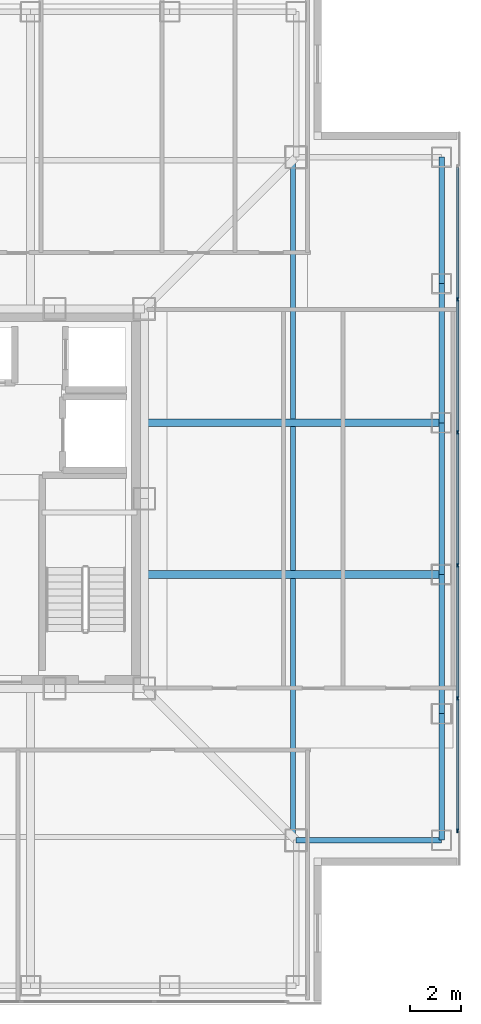
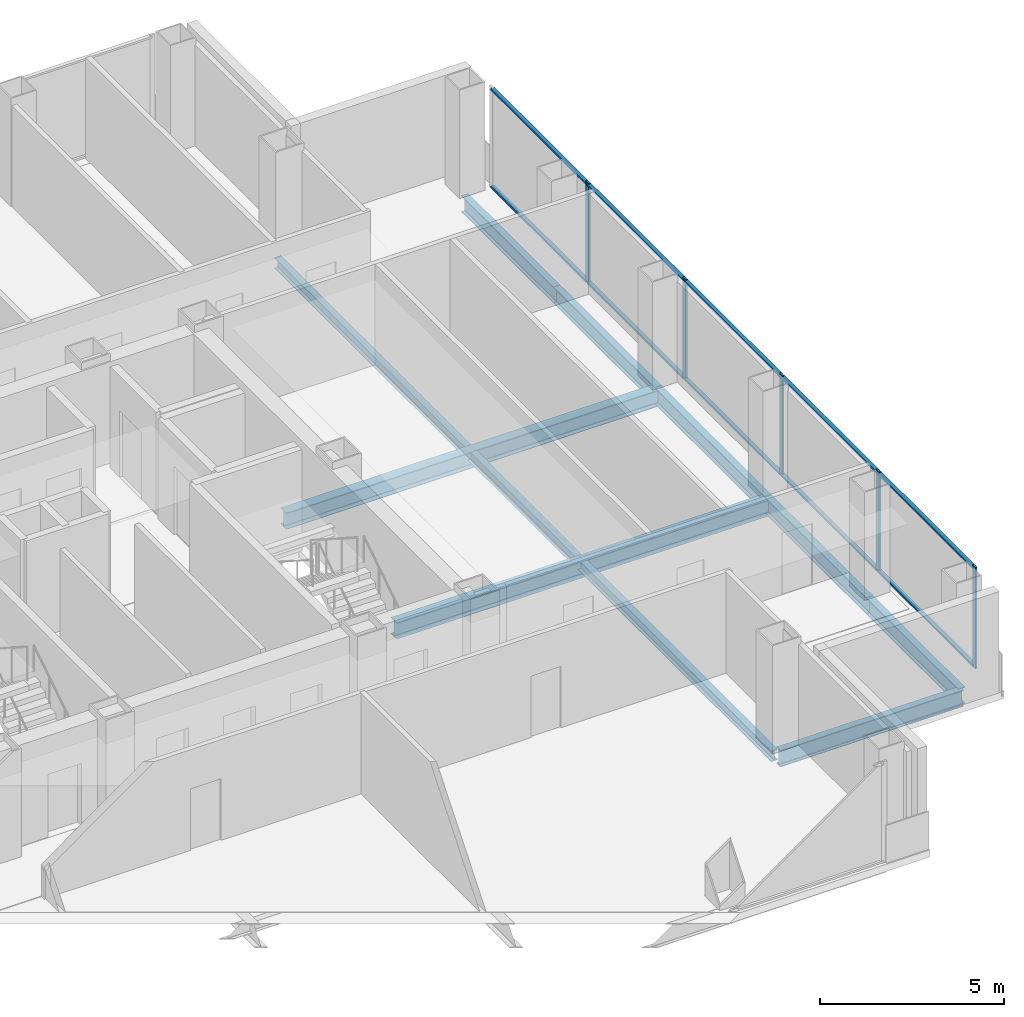
# One storey, part 6 of 18: 15 members, 9 beams, 1 element without a shape of its own.
"""IFC4 building model written with IfcOpenShell, lengths in metres."""

from ifc_helpers import new_model, si_unit, direction, frame, origin, origin_2d, place, context, subcontext, project, spatial, rectangle, i_section, extrude, material, layer, layer_set, material_profile, profile_set, type_object, element, aggregate, save


model = new_model("IFC4")

# Units and contexts
model_context = context("Model", 3, precision=1e-05, world=origin(), true_north=direction((0.0, 1.0)))
body_context = subcontext(model_context, "Body", "Model", "MODEL_VIEW")
ifc_project = project(units=[si_unit("LENGTHUNIT", "METRE"), si_unit("AREAUNIT", "SQUARE_METRE"), si_unit("VOLUMEUNIT", "CUBIC_METRE"), si_unit("PLANEANGLEUNIT", "RADIAN"), si_unit("MASSUNIT", "GRAM", prefix="KILO")], contexts=[model_context])

# Site, building, storey
site_placement = place(None, origin())
site = spatial("IfcSite", under=ifc_project, at=site_placement, CompositionType="ELEMENT")
building_placement = place(site_placement, origin())
building = spatial("IfcBuilding", under=site, at=building_placement, Name="Trevonay Congress Spire", CompositionType="ELEMENT")
storey_placement = place(building_placement, frame((0.0, 0.0, 220.199951171875)))
storey = spatial("IfcBuildingStorey", under=building, at=storey_placement, Name="L57", CompositionType="ELEMENT", Elevation=220.199951171875)

# Beams
ifc_material_1 = material(Name="Steel ASTM A572 Grade 50", Category="steel")
ifc_material_profile_1 = material_profile(ifc_material_1, i_section(OverallWidth=0.31201171875, OverallDepth=0.54296875, WebThickness=0.0126953125, FlangeThickness=0.020263671875, FilletRadius=0.014892578125, at=origin_2d()), Name="W530x150")
ifc_profile_set_1 = profile_set([ifc_material_profile_1], Name="Steel ASTM A572 Grade 50")
beam_type_1 = type_object("IfcBeamType", Name="BM-GIRD-W530X150", PredefinedType="BEAM", material=ifc_profile_set_1)
for number, where, z_axis, x_axis, name in (
    (1, (7.5, -3.0, -0.511474609375), (1.0, 0.0, 0.0), (0.0, 1.0, 0.0), "L57 structural beam BM-L57-GE-M"),
    (2, (7.5, 3.0, -0.511474609375), (1.0, 0.0, 0.0), (0.0, 1.0, 0.0), "L57 structural beam BM-L57-GE-P"),
):
    element("IfcBeam", number, at=place(storey_placement, frame(where, z_axis=z_axis, x_axis=x_axis)), inside=storey, type_object=beam_type_1, Name=name, PredefinedType="BEAM", context=body_context, shape_type="SweptSolid", body=[
        extrude(i_section(OverallWidth=0.31201171875, OverallDepth=0.54296875, WebThickness=0.0126953125, FlangeThickness=0.020263671875, FilletRadius=0.014892578125, at=origin_2d()), origin(), (0.0, 0.0, 1.0), 11.75),
    ])
ifc_material_profile_2 = material_profile(ifc_material_1, i_section(OverallWidth=0.2119140625, OverallDepth=0.5439453125, WebThickness=0.01318359375, FlangeThickness=0.021240234375, FilletRadius=0.014892578125, at=origin_2d()), Name="W530x123")
ifc_profile_set_2 = profile_set([ifc_material_profile_2], Name="Steel ASTM A572 Grade 50")
beam_type_2 = type_object("IfcBeamType", Name="BM-RING-W530X123", PredefinedType="BEAM", material=ifc_profile_set_2)
beam_1_placement = place(storey_placement, frame((19.25, -13.5, -0.511962890625), z_axis=(0.0, 1.0, 0.0), x_axis=(-1.0, 0.0, 0.0)))
element("IfcBeam", 3, at=beam_1_placement, inside=storey, type_object=beam_type_2, Name="L57 structural beam BM-L57-PE1", PredefinedType="BEAM", context=body_context, shape_type="SweptSolid", body=[
    extrude(i_section(OverallWidth=0.2119140625, OverallDepth=0.5439453125, WebThickness=0.01318359375, FlangeThickness=0.021240234375, FilletRadius=0.014892578125, at=origin_2d()), origin(), (0.0, 0.0, 1.0), 5.0),
])
beam_2_placement = place(storey_placement, frame((19.25, -8.5, -0.511962890625), z_axis=(0.0, 1.0, 0.0), x_axis=(-1.0, 0.0, 0.0)))
element("IfcBeam", 4, at=beam_2_placement, inside=storey, type_object=beam_type_2, Name="L57 structural beam BM-L57-PE2", PredefinedType="BEAM", context=body_context, shape_type="SweptSolid", body=[
    extrude(i_section(OverallWidth=0.2119140625, OverallDepth=0.5439453125, WebThickness=0.01318359375, FlangeThickness=0.021240234375, FilletRadius=0.014892578125, at=origin_2d()), origin(), (0.0, 0.0, 1.0), 5.5),
])
beam_3_placement = place(storey_placement, frame((19.25, -3.0, -0.511962890625), z_axis=(0.0, 1.0, 0.0), x_axis=(-1.0, 0.0, 0.0)))
element("IfcBeam", 5, at=beam_3_placement, inside=storey, type_object=beam_type_2, Name="L57 structural beam BM-L57-PE3", PredefinedType="BEAM", context=body_context, shape_type="SweptSolid", body=[
    extrude(i_section(OverallWidth=0.2119140625, OverallDepth=0.5439453125, WebThickness=0.01318359375, FlangeThickness=0.021240234375, FilletRadius=0.014892578125, at=origin_2d()), origin(), (0.0, 0.0, 1.0), 6.0),
])
beam_4_placement = place(storey_placement, frame((19.25, 3.0, -0.511962890625), z_axis=(0.0, 1.0, 0.0), x_axis=(-1.0, 0.0, 0.0)))
element("IfcBeam", 6, at=beam_4_placement, inside=storey, type_object=beam_type_2, Name="L57 structural beam BM-L57-PE4", PredefinedType="BEAM", context=body_context, shape_type="SweptSolid", body=[
    extrude(i_section(OverallWidth=0.2119140625, OverallDepth=0.5439453125, WebThickness=0.01318359375, FlangeThickness=0.021240234375, FilletRadius=0.014892578125, at=origin_2d()), origin(), (0.0, 0.0, 1.0), 5.5),
])
beam_5_placement = place(storey_placement, frame((19.25, 8.5, -0.511962890625), z_axis=(0.0, 1.0, 0.0), x_axis=(-1.0, 0.0, 0.0)))
element("IfcBeam", 7, at=beam_5_placement, inside=storey, type_object=beam_type_2, Name="L57 structural beam BM-L57-PE5", PredefinedType="BEAM", context=body_context, shape_type="SweptSolid", body=[
    extrude(i_section(OverallWidth=0.2119140625, OverallDepth=0.5439453125, WebThickness=0.01318359375, FlangeThickness=0.021240234375, FilletRadius=0.014892578125, at=origin_2d()), origin(), (0.0, 0.0, 1.0), 5.0),
])
beam_6_placement = place(storey_placement, frame((19.25, -13.5, -0.511962890625), z_axis=(-1.0, 0.0, 0.0), x_axis=(0.0, -1.0, 0.0)))
element("IfcBeam", 8, at=beam_6_placement, inside=storey, type_object=beam_type_2, Name="L57 structural beam BM-L57-N2SE", PredefinedType="BEAM", context=body_context, shape_type="SweptSolid", body=[
    extrude(i_section(OverallWidth=0.2119140625, OverallDepth=0.5439453125, WebThickness=0.01318359375, FlangeThickness=0.021240234375, FilletRadius=0.014892578125, at=origin_2d()), origin(), (0.0, 0.0, 1.0), 5.75),
])

# Curtain wall, members
ifc_material_2 = material(Name="Pale Anodised Aluminium EN AW-6063-T6", Category="aluminium")
ifc_layer = layer(ifc_material_2, 0.169921875, Name="Pale Anodised Aluminium EN AW-6063-T6")
ifc_layer_set = layer_set([ifc_layer], Name="Pale Anodised Aluminium EN AW-6063-T6")
curtain_wall_type = type_object("IfcCurtainWallType", Name="CW-SYS04-CORP-PALE-METAL", PredefinedType="NOTDEFINED", material=ifc_layer_set)
curtain_wall_placement = place(storey_placement, origin())
curtain_wall = element("IfcCurtainWall", 9, at=curtain_wall_placement, inside=storey, type_object=curtain_wall_type, Name="L57 E unitised curtain wall", PredefinedType="NOTDEFINED")
ifc_material_profile_3 = material_profile(ifc_material_2, rectangle(XDim=0.06005859375, YDim=0.159912109375, at=origin_2d()), Name="CW-MULLION-160-ALUMINIUM")
ifc_profile_set_3 = profile_set([ifc_material_profile_3], Name="Pale Anodised Aluminium EN AW-6063-T6")
member_type_1 = type_object("IfcMemberType", Name="CW-MULLION-160-ALUMINIUM", PredefinedType="MULLION", material=ifc_profile_set_3)
member_1_placement = place(storey_placement, frame((19.8798828125, -13.1201171875, 0.0), z_axis=(0.0, 0.0, 1.0), x_axis=(-1.0, 0.0, 0.0)))
member_1 = element("IfcMember", 10, at=member_1_placement, type_object=member_type_1, Name="CW04 mullion 1", PredefinedType="MULLION", context=body_context, shape_type="SweptSolid", body=[
    extrude(rectangle(XDim=0.06005859375, YDim=0.159912109375, at=origin_2d()), origin(), (0.0, 0.0, 1.0), 3.360107421875),
])
member_2_placement = place(storey_placement, frame((19.8798828125, -7.889892578125, 0.0), z_axis=(0.0, 0.0, 1.0), x_axis=(-1.0, 0.0, 0.0)))
member_2 = element("IfcMember", 11, at=member_2_placement, type_object=member_type_1, Name="CW04 mullion 2", PredefinedType="MULLION", context=body_context, shape_type="SweptSolid", body=[
    extrude(rectangle(XDim=0.06005859375, YDim=0.159912109375, at=origin_2d()), origin(), (0.0, 0.0, 1.0), 3.360107421875),
])
member_3_placement = place(storey_placement, frame((19.8798828125, -2.6298828125, 0.0), z_axis=(0.0, 0.0, 1.0), x_axis=(-1.0, 0.0, 0.0)))
member_3 = element("IfcMember", 12, at=member_3_placement, type_object=member_type_1, Name="CW04 mullion 3", PredefinedType="MULLION", context=body_context, shape_type="SweptSolid", body=[
    extrude(rectangle(XDim=0.06005859375, YDim=0.159912109375, at=origin_2d()), origin(), (0.0, 0.0, 1.0), 3.360107421875),
])
member_4_placement = place(storey_placement, frame((19.8798828125, 2.6298828125, 0.0), z_axis=(0.0, 0.0, 1.0), x_axis=(-1.0, 0.0, 0.0)))
member_4 = element("IfcMember", 13, at=member_4_placement, type_object=member_type_1, Name="CW04 mullion 4", PredefinedType="MULLION", context=body_context, shape_type="SweptSolid", body=[
    extrude(rectangle(XDim=0.06005859375, YDim=0.159912109375, at=origin_2d()), origin(), (0.0, 0.0, 1.0), 3.360107421875),
])
member_5_placement = place(storey_placement, frame((19.8798828125, 7.889892578125, 0.0), z_axis=(0.0, 0.0, 1.0), x_axis=(-1.0, 0.0, 0.0)))
member_5 = element("IfcMember", 14, at=member_5_placement, type_object=member_type_1, Name="CW04 mullion 5", PredefinedType="MULLION", context=body_context, shape_type="SweptSolid", body=[
    extrude(rectangle(XDim=0.06005859375, YDim=0.159912109375, at=origin_2d()), origin(), (0.0, 0.0, 1.0), 3.360107421875),
])
ifc_material_profile_4 = material_profile(ifc_material_2, rectangle(XDim=0.1201171875, YDim=0.06005859375, at=origin_2d()), Name="CW-TRANSOM-120-ALUMINIUM")
ifc_profile_set_4 = profile_set([ifc_material_profile_4], Name="Pale Anodised Aluminium EN AW-6063-T6")
member_type_2 = type_object("IfcMemberType", Name="CW-TRANSOM-120-ALUMINIUM", PredefinedType="USERDEFINED", material=ifc_profile_set_4)
member_6_placement = place(storey_placement, frame((19.8798828125, -13.090087890625, 0.06005859375), z_axis=(0.0, 1.0, 0.0), x_axis=(-1.0, 0.0, 0.0)))
member_6 = element("IfcMember", 15, at=member_6_placement, type_object=member_type_2, Name="CW04 transom 1.1", ObjectType="TRANSOM", PredefinedType="USERDEFINED", context=body_context, shape_type="SweptSolid", body=[
    extrude(rectangle(XDim=0.1201171875, YDim=0.06005859375, at=origin_2d()), origin(), (0.0, 0.0, 1.0), 5.170166015625),
])
member_7_placement = place(storey_placement, frame((19.8798828125, -13.090087890625, 3.300048828125), z_axis=(0.0, 1.0, 0.0), x_axis=(-1.0, 0.0, 0.0)))
member_7 = element("IfcMember", 16, at=member_7_placement, type_object=member_type_2, Name="CW04 transom 1.2", ObjectType="TRANSOM", PredefinedType="USERDEFINED", context=body_context, shape_type="SweptSolid", body=[
    extrude(rectangle(XDim=0.1201171875, YDim=0.06005859375, at=origin_2d()), origin(), (0.0, 0.0, 1.0), 5.170166015625),
])
member_8_placement = place(storey_placement, frame((19.8798828125, -7.860107421875, 0.06005859375), z_axis=(0.0, 1.0, 0.0), x_axis=(-1.0, 0.0, 0.0)))
member_8 = element("IfcMember", 17, at=member_8_placement, type_object=member_type_2, Name="CW04 transom 2.1", ObjectType="TRANSOM", PredefinedType="USERDEFINED", context=body_context, shape_type="SweptSolid", body=[
    extrude(rectangle(XDim=0.1201171875, YDim=0.06005859375, at=origin_2d()), origin(), (0.0, 0.0, 1.0), 5.2001953125),
])
member_9_placement = place(storey_placement, frame((19.8798828125, -7.860107421875, 3.300048828125), z_axis=(0.0, 1.0, 0.0), x_axis=(-1.0, 0.0, 0.0)))
member_9 = element("IfcMember", 18, at=member_9_placement, type_object=member_type_2, Name="CW04 transom 2.2", ObjectType="TRANSOM", PredefinedType="USERDEFINED", context=body_context, shape_type="SweptSolid", body=[
    extrude(rectangle(XDim=0.1201171875, YDim=0.06005859375, at=origin_2d()), origin(), (0.0, 0.0, 1.0), 5.2001953125),
])
member_10_placement = place(storey_placement, frame((19.8798828125, -2.60009765625, 0.06005859375), z_axis=(0.0, 1.0, 0.0), x_axis=(-1.0, 0.0, 0.0)))
member_10 = element("IfcMember", 19, at=member_10_placement, type_object=member_type_2, Name="CW04 transom 3.1", ObjectType="TRANSOM", PredefinedType="USERDEFINED", context=body_context, shape_type="SweptSolid", body=[
    extrude(rectangle(XDim=0.1201171875, YDim=0.06005859375, at=origin_2d()), origin(), (0.0, 0.0, 1.0), 5.2001953125),
])
member_11_placement = place(storey_placement, frame((19.8798828125, -2.60009765625, 3.300048828125), z_axis=(0.0, 1.0, 0.0), x_axis=(-1.0, 0.0, 0.0)))
member_11 = element("IfcMember", 20, at=member_11_placement, type_object=member_type_2, Name="CW04 transom 3.2", ObjectType="TRANSOM", PredefinedType="USERDEFINED", context=body_context, shape_type="SweptSolid", body=[
    extrude(rectangle(XDim=0.1201171875, YDim=0.06005859375, at=origin_2d()), origin(), (0.0, 0.0, 1.0), 5.2001953125),
])
member_12_placement = place(storey_placement, frame((19.8798828125, 2.659912109375, 0.06005859375), z_axis=(0.0, 1.0, 0.0), x_axis=(-1.0, 0.0, 0.0)))
member_12 = element("IfcMember", 21, at=member_12_placement, type_object=member_type_2, Name="CW04 transom 4.1", ObjectType="TRANSOM", PredefinedType="USERDEFINED", context=body_context, shape_type="SweptSolid", body=[
    extrude(rectangle(XDim=0.1201171875, YDim=0.06005859375, at=origin_2d()), origin(), (0.0, 0.0, 1.0), 5.2001953125),
])
member_13_placement = place(storey_placement, frame((19.8798828125, 2.659912109375, 3.300048828125), z_axis=(0.0, 1.0, 0.0), x_axis=(-1.0, 0.0, 0.0)))
member_13 = element("IfcMember", 22, at=member_13_placement, type_object=member_type_2, Name="CW04 transom 4.2", ObjectType="TRANSOM", PredefinedType="USERDEFINED", context=body_context, shape_type="SweptSolid", body=[
    extrude(rectangle(XDim=0.1201171875, YDim=0.06005859375, at=origin_2d()), origin(), (0.0, 0.0, 1.0), 5.2001953125),
])
member_14_placement = place(storey_placement, frame((19.8798828125, 7.919921875, 0.06005859375), z_axis=(0.0, 1.0, 0.0), x_axis=(-1.0, 0.0, 0.0)))
member_14 = element("IfcMember", 23, at=member_14_placement, type_object=member_type_2, Name="CW04 transom 5.1", ObjectType="TRANSOM", PredefinedType="USERDEFINED", context=body_context, shape_type="SweptSolid", body=[
    extrude(rectangle(XDim=0.1201171875, YDim=0.06005859375, at=origin_2d()), origin(), (0.0, 0.0, 1.0), 5.170166015625),
])
member_15_placement = place(storey_placement, frame((19.8798828125, 7.919921875, 3.300048828125), z_axis=(0.0, 1.0, 0.0), x_axis=(-1.0, 0.0, 0.0)))
member_15 = element("IfcMember", 24, at=member_15_placement, type_object=member_type_2, Name="CW04 transom 5.2", ObjectType="TRANSOM", PredefinedType="USERDEFINED", context=body_context, shape_type="SweptSolid", body=[
    extrude(rectangle(XDim=0.1201171875, YDim=0.06005859375, at=origin_2d()), origin(), (0.0, 0.0, 1.0), 5.170166015625),
])
aggregate(curtain_wall, [member_1, member_2, member_3, member_4, member_5, member_6, member_7, member_8, member_9, member_10, member_11, member_12, member_13, member_14, member_15])

# Beam
ifc_material_profile_5 = material_profile(ifc_material_1, i_section(OverallWidth=0.205078125, OverallDepth=0.35400390625, WebThickness=0.009521484375, FlangeThickness=0.016845703125, FilletRadius=0.011962890625, at=origin_2d()), Name="W360x79")
ifc_profile_set_5 = profile_set([ifc_material_profile_5], Name="Steel ASTM A572 Grade 50")
beam_type_3 = type_object("IfcBeamType", Name="JS-COMP-W360X79", PredefinedType="JOIST", material=ifc_profile_set_5)
beam_7_placement = place(storey_placement, frame((13.375, -13.5, -0.4169921875), z_axis=(0.0, 1.0, 0.0), x_axis=(-1.0, 0.0, 0.0)))
element("IfcBeam", 25, at=beam_7_placement, inside=storey, type_object=beam_type_3, Name="L57 structural beam JS-L57-RING-E", PredefinedType="JOIST", context=body_context, shape_type="SweptSolid", body=[
    extrude(i_section(OverallWidth=0.205078125, OverallDepth=0.35400390625, WebThickness=0.009521484375, FlangeThickness=0.016845703125, FilletRadius=0.011962890625, at=origin_2d()), origin(), (0.0, 0.0, 1.0), 27.0),
])

save(model, "model.ifc")
